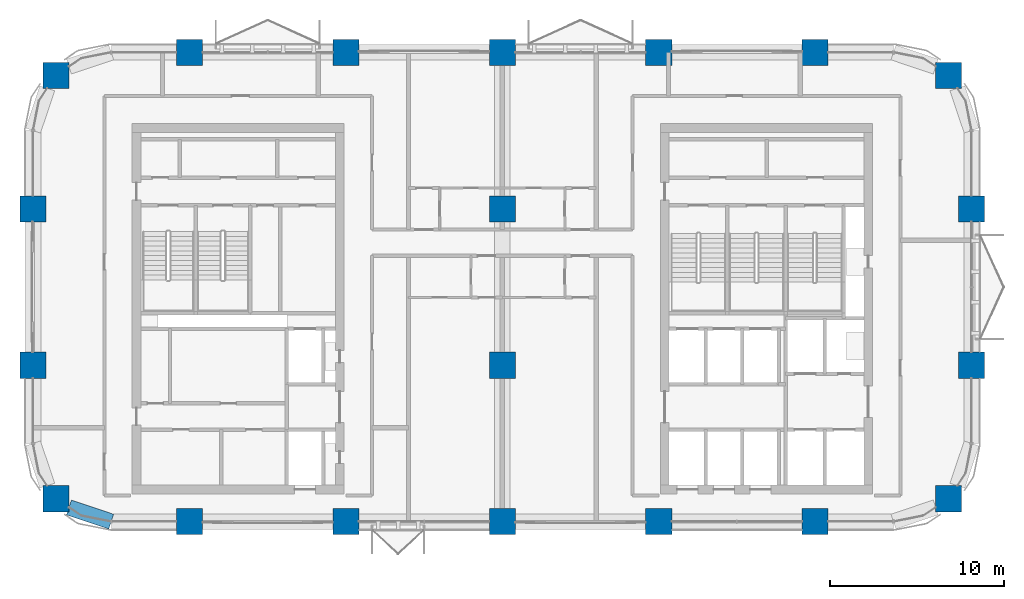
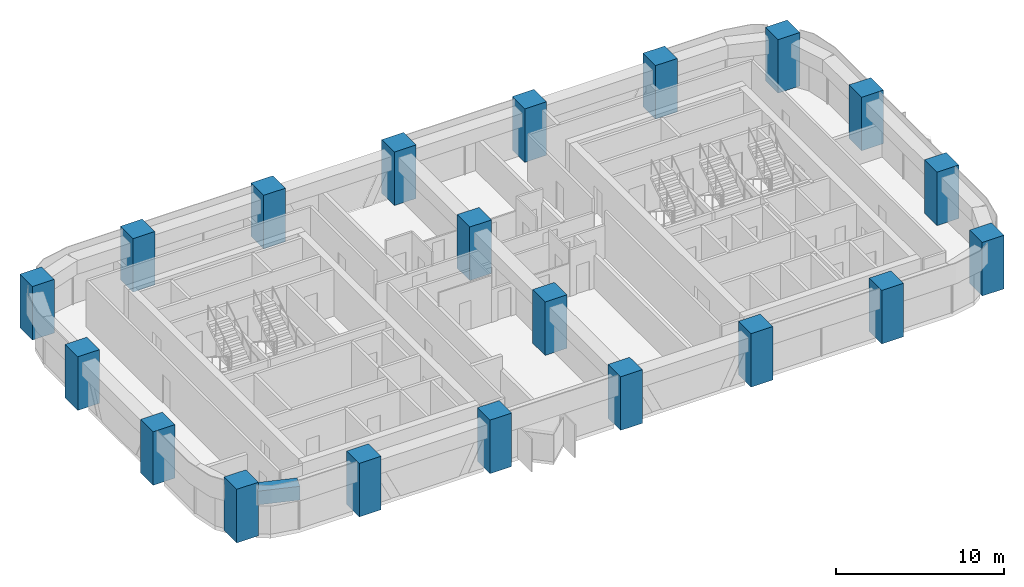
# One storey, part 1 of 14: 20 columns, 1 beam.
"""IFC4 building model written with IfcOpenShell, lengths in metres."""

from ifc_helpers import new_model, si_unit, direction, frame, origin, origin_2d, place, context, subcontext, project, spatial, rectangle, extrude, material, material_profile, profile_set, type_object, element, save


model = new_model("IFC4")

# Units and contexts
model_context = context("Model", 3, precision=1e-05, world=origin(), true_north=direction((0.0, 1.0)))
body_context = subcontext(model_context, "Body", "Model", "MODEL_VIEW")
ifc_project = project(units=[si_unit("LENGTHUNIT", "METRE"), si_unit("AREAUNIT", "SQUARE_METRE"), si_unit("VOLUMEUNIT", "CUBIC_METRE"), si_unit("PLANEANGLEUNIT", "RADIAN"), si_unit("MASSUNIT", "GRAM", prefix="KILO")], contexts=[model_context])

# Site, building, storey
site_placement = place(None, origin())
site = spatial("IfcSite", under=ifc_project, at=site_placement, CompositionType="ELEMENT")
building_placement = place(site_placement, origin())
building = spatial("IfcBuilding", under=site, at=building_placement, Name="Tessera Arch", CompositionType="ELEMENT")
storey_placement = place(building_placement, frame((0.0, 0.0, 193.39990234375)))
storey = spatial("IfcBuildingStorey", under=building, at=storey_placement, Name="L46", CompositionType="ELEMENT", Elevation=193.39990234375)

# Columns
ifc_material_1 = material(Name="Concrete C70/85", Category="concrete")
ifc_material_profile_1 = material_profile(ifc_material_1, rectangle(XDim=1.5, YDim=1.5, at=origin_2d()), Name="RC column 1500 x 1500 Concrete C70/85")
ifc_profile_set_1 = profile_set([ifc_material_profile_1], Name="Concrete C70/85")
column_type = type_object("IfcColumnType", Name="RC column 1500 x 1500 Concrete C70/85", PredefinedType="COLUMN", material=ifc_profile_set_1)
for number, where, z_axis, x_axis, name in (
    (1, (1.318115234375, 28.318115234375, 0.0), (0.0, 0.0, 1.0), (1.0, 0.0, 0.0), "Column C1D L46"),
    (2, (0.0, 36.0, 0.0), (0.0, 0.0, 1.0), (1.0, 0.0, 0.0), "Column C1E L46"),
    (3, (0.0, 45.0, 0.0), (0.0, 0.0, 1.0), (1.0, 0.0, 0.0), "Column C1F L46"),
    (4, (1.318115234375, 52.681884765625, 0.0), (0.0, 0.0, 1.0), (1.0, 0.0, 0.0), "Column C1G L46"),
    (5, (9.0, 27.0, 0.0), (0.0, 0.0, 1.0), (1.0, 0.0, 0.0), "Column C2D L46"),
    (6, (9.0, 54.0, 0.0), (0.0, 0.0, 1.0), (1.0, 0.0, 0.0), "Column C2G L46"),
    (7, (18.0, 27.0, 0.0), (0.0, 0.0, 1.0), (1.0, 0.0, 0.0), "Column C3D L46"),
    (8, (18.0, 54.0, 0.0), (0.0, 0.0, 1.0), (1.0, 0.0, 0.0), "Column C3G L46"),
    (9, (27.0, 27.0, 0.0), (0.0, 0.0, 1.0), (1.0, 0.0, 0.0), "Column C4D L46"),
    (10, (27.0, 36.0, 0.0), (0.0, 0.0, 1.0), (1.0, 0.0, 0.0), "Column C4E L46"),
    (11, (27.0, 45.0, 0.0), (0.0, 0.0, 1.0), (1.0, 0.0, 0.0), "Column C4F L46"),
    (12, (27.0, 54.0, 0.0), (0.0, 0.0, 1.0), (1.0, 0.0, 0.0), "Column C4G L46"),
    (13, (36.0, 27.0, 0.0), (0.0, 0.0, 1.0), (1.0, 0.0, 0.0), "Column C5D L46"),
    (14, (36.0, 54.0, 0.0), (0.0, 0.0, 1.0), (1.0, 0.0, 0.0), "Column C5G L46"),
    (15, (45.0, 27.0, 0.0), (0.0, 0.0, 1.0), (1.0, 0.0, 0.0), "Column C6D L46"),
    (16, (45.0, 54.0, 0.0), (0.0, 0.0, 1.0), (1.0, 0.0, 0.0), "Column C6G L46"),
    (17, (52.681884765625, 28.318115234375, 0.0), (0.0, 0.0, 1.0), (1.0, 0.0, 0.0), "Column C7D L46"),
    (18, (54.0, 36.0, 0.0), (0.0, 0.0, 1.0), (1.0, 0.0, 0.0), "Column C7E L46"),
    (19, (54.0, 45.0, 0.0), (0.0, 0.0, 1.0), (1.0, 0.0, 0.0), "Column C7F L46"),
    (20, (52.681884765625, 52.681884765625, 0.0), (0.0, 0.0, 1.0), (1.0, 0.0, 0.0), "Column C7G L46"),
):
    element("IfcColumn", number, at=place(storey_placement, frame(where, z_axis=z_axis, x_axis=x_axis)), inside=storey, type_object=column_type, Name=name, PredefinedType="COLUMN", context=body_context, shape_type="SweptSolid", body=[
        extrude(rectangle(XDim=1.5, YDim=1.5, at=origin_2d()), origin(), (0.0, 0.0, 1.0), 3.900146484375),
    ])

# Beam
ifc_material_2 = material(Name="Concrete C70/85", Category="concrete")
ifc_material_profile_2 = material_profile(ifc_material_2, rectangle(XDim=0.89990234375, YDim=1.0, at=origin_2d()), Name="RC spandrel beam 900 x 1000 Concrete C70/85")
ifc_profile_set_2 = profile_set([ifc_material_profile_2], Name="Concrete C70/85")
beam_type = type_object("IfcBeamType", Name="RC spandrel beam 900 x 1000 Concrete C70/85", PredefinedType="BEAM", material=ifc_profile_set_2)
beam_placement = place(storey_placement, frame((2.068115234375, 27.81689453125, 2.900146484375), z_axis=(0.947947973234, -0.31842525032, 0.0), x_axis=(0.31842525032, 0.947947973234, 0.0)))
element("IfcBeam", 21, at=beam_placement, inside=storey, type_object=beam_type, Name="Spandrel beam L46 S27.0/0.1", PredefinedType="BEAM", context=body_context, shape_type="SweptSolid", body=[
    extrude(rectangle(XDim=0.89990234375, YDim=1.0, at=origin_2d()), origin(), (0.0, 0.0, 1.0), 2.5654296875),
])

save(model, "model.ifc")
